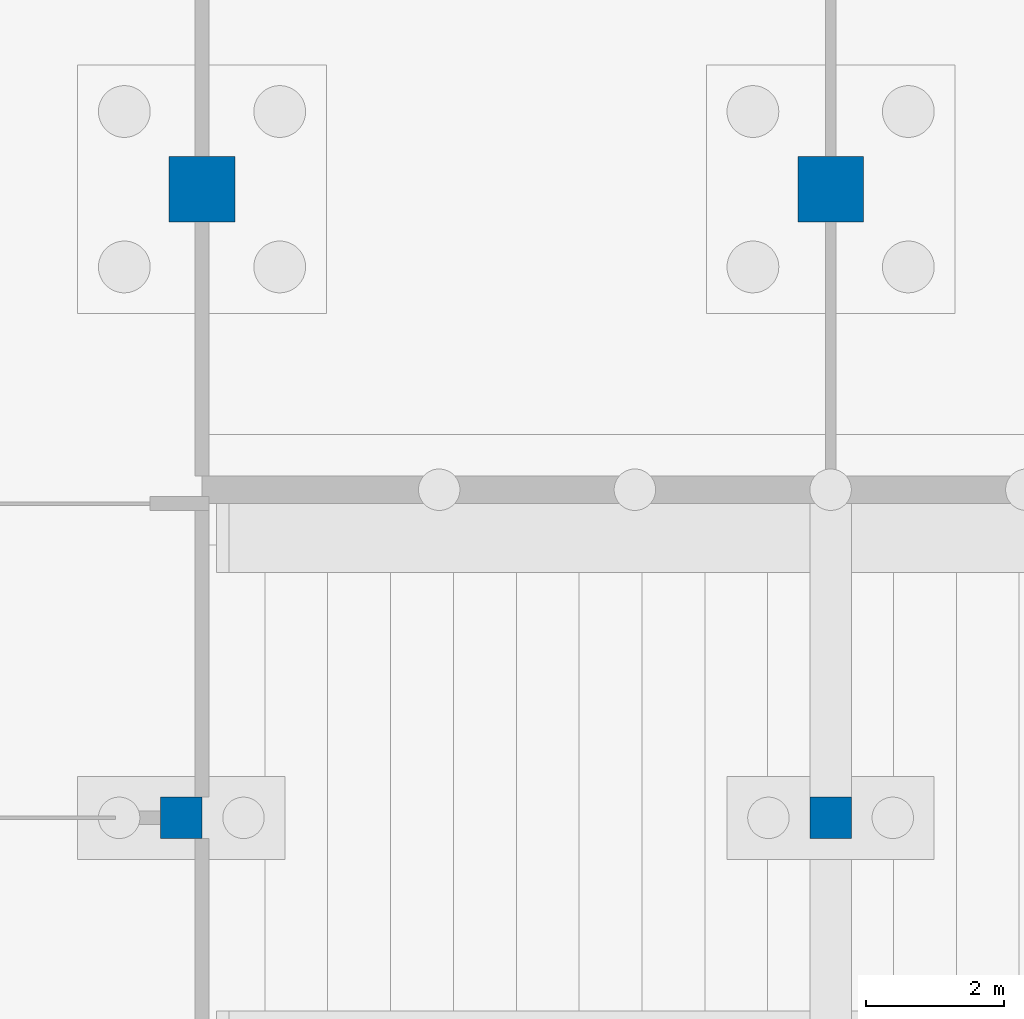
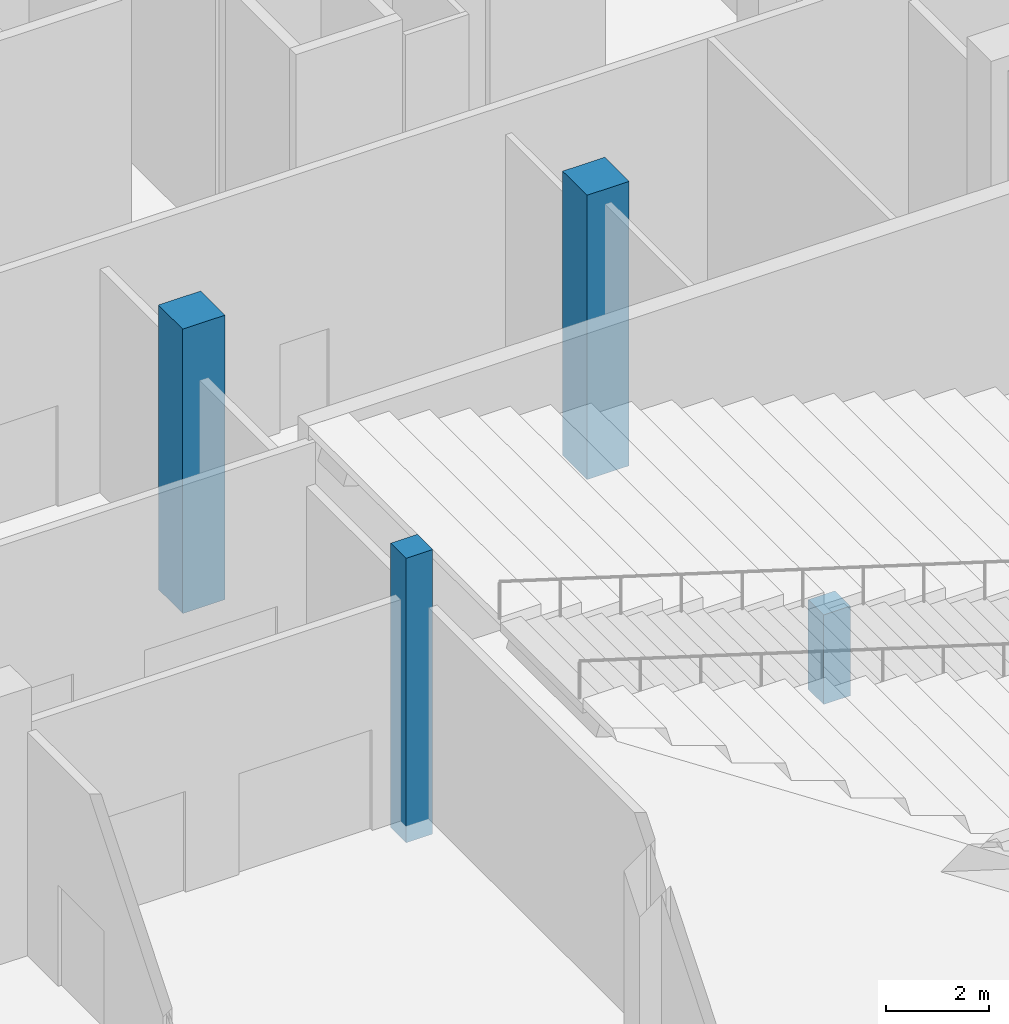
# One storey, part 23 of 129: 4 columns.
"""IFC4 building model written with IfcOpenShell, lengths in metres."""

from ifc_helpers import new_model, si_unit, direction, frame, origin, origin_2d, place, context, subcontext, project, spatial, rectangle, extrude, material, material_profile, profile_set, type_object, element, save


model = new_model("IFC4")

# Units and contexts
model_context = context("Model", 3, precision=1e-05, world=origin(), true_north=direction((0.0, 1.0)))
body_context = subcontext(model_context, "Body", "Model", "MODEL_VIEW")
ifc_project = project(units=[si_unit("LENGTHUNIT", "METRE"), si_unit("AREAUNIT", "SQUARE_METRE"), si_unit("VOLUMEUNIT", "CUBIC_METRE"), si_unit("PLANEANGLEUNIT", "RADIAN"), si_unit("MASSUNIT", "GRAM", prefix="KILO")], contexts=[model_context])

# Site, building, storey
site_placement = place(None, origin())
site = spatial("IfcSite", under=ifc_project, at=site_placement, CompositionType="ELEMENT")
building_placement = place(site_placement, origin())
building = spatial("IfcBuilding", under=site, at=building_placement, Name="Shirokan Park Arena", CompositionType="ELEMENT")
storey_placement = place(building_placement, origin())
storey = spatial("IfcBuildingStorey", under=building, at=storey_placement, Name="L00", CompositionType="ELEMENT", Elevation=0.0)

# Columns
ifc_material = material(Name="Concrete C35", Category="concrete")
ifc_material_profile_1 = material_profile(ifc_material, rectangle(XDim=0.60009765625, YDim=0.60009765625, at=origin_2d()), Name="600x600")
ifc_profile_set_1 = profile_set([ifc_material_profile_1], Name="Concrete C35")
column_type_1 = type_object("IfcColumnType", Name="RC column 600x600", PredefinedType="COLUMN", material=ifc_profile_set_1)
column_1_placement = place(storey_placement, frame((17.89990234375, 63.699951171875, -0.39990234375), z_axis=(0.0, 0.0, 1.0), x_axis=(1.0, 0.0, 0.0)))
element("IfcColumn", 1, at=column_1_placement, inside=storey, type_object=column_type_1, Name="Column 3H L00", PredefinedType="COLUMN", context=body_context, shape_type="SweptSolid", body=[
    extrude(rectangle(XDim=0.60009765625, YDim=0.60009765625, at=origin_2d()), origin(), (0.0, 0.0, 1.0), 6.77001953125),
])
column_2_placement = place(storey_placement, frame((27.300048828125, 63.699951171875, -0.39990234375), z_axis=(0.0, 0.0, 1.0), x_axis=(1.0, 0.0, 0.0)))
element("IfcColumn", 2, at=column_2_placement, inside=storey, type_object=column_type_1, Name="Column 4H L00", PredefinedType="COLUMN", context=body_context, shape_type="SweptSolid", body=[
    extrude(rectangle(XDim=0.60009765625, YDim=0.60009765625, at=origin_2d()), origin(), (0.0, 0.0, 1.0), 2.1328125),
])
ifc_material_profile_2 = material_profile(ifc_material, rectangle(XDim=0.949951171875, YDim=0.949951171875, at=origin_2d()), Name="950x950")
ifc_profile_set_2 = profile_set([ifc_material_profile_2], Name="Concrete C35")
column_type_2 = type_object("IfcColumnType", Name="RC column 950x950", PredefinedType="COLUMN", material=ifc_profile_set_2)
for number, where, z_axis, x_axis, name in (
    (3, (18.199951171875, 72.800048828125, -0.39990234375), (0.0, 0.0, 1.0), (1.0, 0.0, 0.0), "Column 3J L00"),
    (4, (27.300048828125, 72.800048828125, -0.39990234375), (0.0, 0.0, 1.0), (1.0, 0.0, 0.0), "Column 4J L00"),
):
    element("IfcColumn", number, at=place(storey_placement, frame(where, z_axis=z_axis, x_axis=x_axis)), inside=storey, type_object=column_type_2, Name=name, PredefinedType="COLUMN", context=body_context, shape_type="SweptSolid", body=[
        extrude(rectangle(XDim=0.949951171875, YDim=0.949951171875, at=origin_2d()), origin(), (0.0, 0.0, 1.0), 6.77001953125),
    ])

save(model, "model.ifc")
